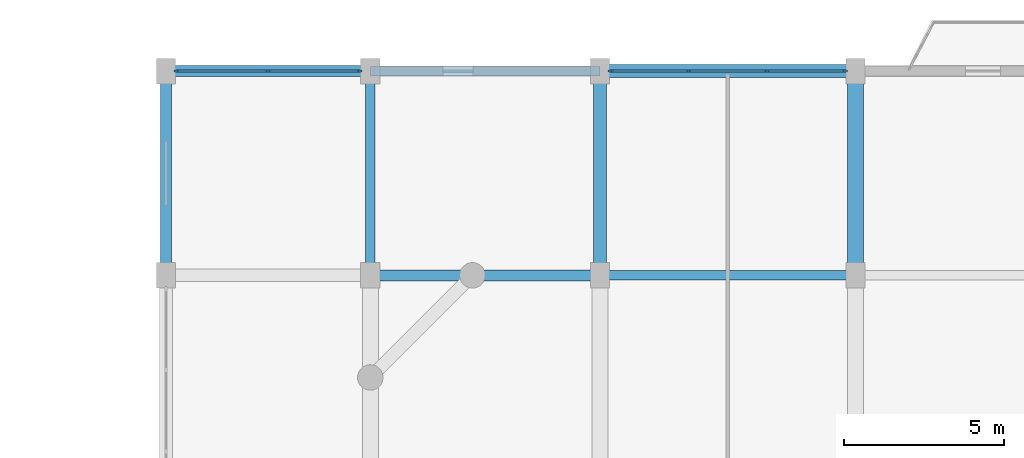
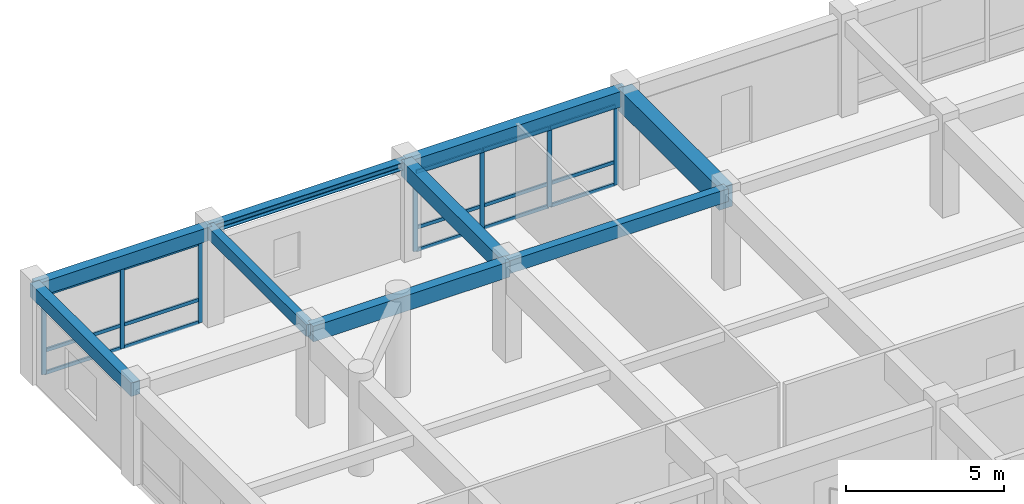
# One storey, part 9 of 20: 22 members, 9 beams, 2 elements without a shape of their own.
"""IFC4 building model written with IfcOpenShell, lengths in metres."""

from ifc_helpers import new_model, si_unit, direction, frame, origin, origin_2d, place, context, subcontext, project, spatial, rectangle, i_section, extrude, material, material_profile, profile_set, type_object, element, aggregate, save


model = new_model("IFC4")

# Units and contexts
model_context = context("Model", 3, precision=1e-05, world=origin(), true_north=direction((0.0, 1.0)))
body_context = subcontext(model_context, "Body", "Model", "MODEL_VIEW")
ifc_project = project(units=[si_unit("LENGTHUNIT", "METRE"), si_unit("AREAUNIT", "SQUARE_METRE"), si_unit("VOLUMEUNIT", "CUBIC_METRE"), si_unit("PLANEANGLEUNIT", "RADIAN"), si_unit("MASSUNIT", "GRAM", prefix="KILO")], contexts=[model_context])

# Site, building, storey
site_placement = place(None, origin())
site = spatial("IfcSite", under=ifc_project, at=site_placement, CompositionType="ELEMENT")
building_placement = place(site_placement, origin())
building = spatial("IfcBuilding", under=site, at=building_placement, Name="Vellmiral Cinema and Media Centre", CompositionType="ELEMENT")
storey_placement = place(building_placement, frame((0.0, 0.0, 23.800048828125)))
storey = spatial("IfcBuildingStorey", under=building, at=storey_placement, Name="L05", CompositionType="ELEMENT", Elevation=23.800048828125)

# Beams
ifc_material_1 = material(Name="Concrete C40/50", Category="concrete")
ifc_material_profile_1 = material_profile(ifc_material_1, rectangle(XDim=0.300048828125, YDim=0.449951171875, at=origin_2d()), Name="RC 300x450")
ifc_profile_set_1 = profile_set([ifc_material_profile_1], Name="Concrete C40/50")
beam_type_1 = type_object("IfcBeamType", Name="BM-RC-300x450", PredefinedType="BEAM", material=ifc_profile_set_1)
beam_1_placement = place(storey_placement, frame((116.800048828125, 108.800048828125, 3.469970703125), z_axis=(0.0, 1.0, 0.0), x_axis=(-1.0, 0.0, 0.0)))
element("IfcBeam", 1, at=beam_1_placement, inside=storey, type_object=beam_type_1, Name="Grid Beam L05-Y069", PredefinedType="BEAM", context=body_context, shape_type="SweptSolid", body=[
    extrude(rectangle(XDim=0.300048828125, YDim=0.449951171875, at=origin_2d()), origin(), (0.0, 0.0, 1.0), 6.39990234375),
])
ifc_material_2 = material(Name="Concrete C40/50", Category="concrete")
ifc_material_profile_2 = material_profile(ifc_material_2, rectangle(XDim=0.300048828125, YDim=0.5, at=origin_2d()), Name="RC 300x500")
ifc_profile_set_2 = profile_set([ifc_material_profile_2], Name="Concrete C40/50")
beam_type_2 = type_object("IfcBeamType", Name="BM-RC-300x500", PredefinedType="BEAM", material=ifc_profile_set_2)
beam_2_placement = place(storey_placement, frame((124.0, 108.800048828125, 3.445068359375), z_axis=(1.0, 0.0, 0.0), x_axis=(0.0, 1.0, 0.0)))
element("IfcBeam", 2, at=beam_2_placement, inside=storey, type_object=beam_type_2, Name="Grid Beam L05-X043", PredefinedType="BEAM", context=body_context, shape_type="SweptSolid", body=[
    extrude(rectangle(XDim=0.300048828125, YDim=0.5, at=origin_2d()), origin(), (0.0, 0.0, 1.0), 8.0),
])
ifc_material_3 = material(Name="Concrete C40/50", Category="concrete")
ifc_material_profile_3 = material_profile(ifc_material_3, rectangle(XDim=0.35009765625, YDim=0.60009765625, at=origin_2d()), Name="RC 350x600")
ifc_profile_set_3 = profile_set([ifc_material_profile_3], Name="Concrete C40/50")
beam_type_3 = type_object("IfcBeamType", Name="BM-RC-350x600", PredefinedType="BEAM", material=ifc_profile_set_3)
beam_3_placement = place(storey_placement, frame((116.800048828125, 108.800048828125, 3.39501953125), z_axis=(1.0, 0.0, 0.0), x_axis=(0.0, 1.0, 0.0)))
element("IfcBeam", 3, at=beam_3_placement, inside=storey, type_object=beam_type_3, Name="Grid Beam L05-X042", PredefinedType="BEAM", context=body_context, shape_type="SweptSolid", body=[
    extrude(rectangle(XDim=0.35009765625, YDim=0.60009765625, at=origin_2d()), origin(), (0.0, 0.0, 1.0), 7.199951171875),
])
ifc_material_4 = material(Name="Concrete C40/50", Category="concrete")
ifc_material_profile_4 = material_profile(ifc_material_4, rectangle(XDim=0.39990234375, YDim=0.60009765625, at=origin_2d()), Name="RC 400x600")
ifc_profile_set_4 = profile_set([ifc_material_profile_4], Name="Concrete C40/50")
beam_type_4 = type_object("IfcBeamType", Name="BM-RC-400x600", PredefinedType="BEAM", material=ifc_profile_set_4)
beam_4_placement = place(storey_placement, frame((124.0, 108.800048828125, 3.39501953125), z_axis=(0.0, 1.0, 0.0), x_axis=(-1.0, 0.0, 0.0)))
element("IfcBeam", 4, at=beam_4_placement, inside=storey, type_object=beam_type_4, Name="Grid Beam L05-Y075", PredefinedType="BEAM", context=body_context, shape_type="SweptSolid", body=[
    extrude(rectangle(XDim=0.39990234375, YDim=0.60009765625, at=origin_2d()), origin(), (0.0, 0.0, 1.0), 6.39990234375),
])
ifc_material_5 = material(Name="Concrete C40/50", Category="concrete")
ifc_material_profile_5 = material_profile(ifc_material_5, rectangle(XDim=0.5, YDim=0.85009765625, at=origin_2d()), Name="RC 500x850")
ifc_profile_set_5 = profile_set([ifc_material_profile_5], Name="Concrete C40/50")
beam_type_5 = type_object("IfcBeamType", Name="BM-RC-500x850", PredefinedType="BEAM", material=ifc_profile_set_5)
beam_5_placement = place(storey_placement, frame((132.0, 108.800048828125, 3.27001953125), z_axis=(0.0, 1.0, 0.0), x_axis=(-1.0, 0.0, 0.0)))
element("IfcBeam", 5, at=beam_5_placement, inside=storey, type_object=beam_type_5, Name="Grid Beam L05-Y081", PredefinedType="BEAM", context=body_context, shape_type="SweptSolid", body=[
    extrude(rectangle(XDim=0.5, YDim=0.85009765625, at=origin_2d()), origin(), (0.0, 0.0, 1.0), 6.39990234375),
])

# Curtain wall, members
ifc_material_6 = material(Name="Thermally Broken Aluminium and Triple Glazing", Category="aluminium")
curtain_wall_type = type_object("IfcCurtainWallType", Name="CW-TOWER-LOW-S", PredefinedType="USERDEFINED", material=ifc_material_6)
curtain_wall_1_placement = place(storey_placement, origin())
curtain_wall_1 = element("IfcCurtainWall", 6, at=curtain_wall_1_placement, inside=storey, type_object=curtain_wall_type, Name="Curtain Wall L05-B022", ObjectType="UNITISED CURTAIN WALL", PredefinedType="USERDEFINED")
ifc_material_7 = material(Name="Thermally Broken Anodised Aluminium", Category="aluminium")
ifc_material_profile_6 = material_profile(ifc_material_7, rectangle(XDim=0.06494140625, YDim=0.159912109375, at=origin_2d()), Name="MULL 65x160")
ifc_profile_set_6 = profile_set([ifc_material_profile_6], Name="Thermally Broken Anodised Aluminium")
member_type_1 = type_object("IfcMemberType", Name="CWM-65x160", PredefinedType="MULLION", material=ifc_profile_set_6)
member_1_placement = place(storey_placement, frame((131.66748046875, 115.199951171875, 0.0), z_axis=(0.0, 0.0, 1.0), x_axis=(0.0, -1.0, 0.0)))
member_1 = element("IfcMember", 7, at=member_1_placement, type_object=member_type_1, Name="CW-06 mullion 1", PredefinedType="MULLION", context=body_context, shape_type="SweptSolid", body=[
    extrude(rectangle(XDim=0.06494140625, YDim=0.159912109375, at=origin_2d()), origin(), (0.0, 0.0, 1.0), 3.0849609375),
])
member_2_placement = place(storey_placement, frame((129.2333984375, 115.199951171875, 0.0), z_axis=(0.0, 0.0, 1.0), x_axis=(0.0, -1.0, 0.0)))
member_2 = element("IfcMember", 8, at=member_2_placement, type_object=member_type_1, Name="CW-06 mullion 2", PredefinedType="MULLION", context=body_context, shape_type="SweptSolid", body=[
    extrude(rectangle(XDim=0.06494140625, YDim=0.159912109375, at=origin_2d()), origin(), (0.0, 0.0, 1.0), 3.0849609375),
])
member_3_placement = place(storey_placement, frame((126.7666015625, 115.199951171875, 0.0), z_axis=(0.0, 0.0, 1.0), x_axis=(0.0, -1.0, 0.0)))
member_3 = element("IfcMember", 9, at=member_3_placement, type_object=member_type_1, Name="CW-06 mullion 3", PredefinedType="MULLION", context=body_context, shape_type="SweptSolid", body=[
    extrude(rectangle(XDim=0.06494140625, YDim=0.159912109375, at=origin_2d()), origin(), (0.0, 0.0, 1.0), 3.0849609375),
])
member_4_placement = place(storey_placement, frame((124.33251953125, 115.199951171875, 0.0), z_axis=(0.0, 0.0, 1.0), x_axis=(0.0, -1.0, 0.0)))
member_4 = element("IfcMember", 10, at=member_4_placement, type_object=member_type_1, Name="CW-06 mullion 4", PredefinedType="MULLION", context=body_context, shape_type="SweptSolid", body=[
    extrude(rectangle(XDim=0.06494140625, YDim=0.159912109375, at=origin_2d()), origin(), (0.0, 0.0, 1.0), 3.0849609375),
])

curtain_wall_2_placement = place(storey_placement, origin())
curtain_wall_2 = element("IfcCurtainWall", 11, at=curtain_wall_2_placement, inside=storey, type_object=curtain_wall_type, Name="Curtain Wall L05-B024", ObjectType="UNITISED CURTAIN WALL", PredefinedType="USERDEFINED")
member_5_placement = place(storey_placement, frame((116.467529296875, 115.199951171875, 0.0), z_axis=(0.0, 0.0, 1.0), x_axis=(0.0, -1.0, 0.0)))
member_5 = element("IfcMember", 12, at=member_5_placement, type_object=member_type_1, Name="CW-06 mullion 1", PredefinedType="MULLION", context=body_context, shape_type="SweptSolid", body=[
    extrude(rectangle(XDim=0.06494140625, YDim=0.159912109375, at=origin_2d()), origin(), (0.0, 0.0, 1.0), 3.099853515625),
])
member_6_placement = place(storey_placement, frame((113.60009765625, 115.199951171875, 0.0), z_axis=(0.0, 0.0, 1.0), x_axis=(0.0, -1.0, 0.0)))
member_6 = element("IfcMember", 13, at=member_6_placement, type_object=member_type_1, Name="CW-06 mullion 2", PredefinedType="MULLION", context=body_context, shape_type="SweptSolid", body=[
    extrude(rectangle(XDim=0.06494140625, YDim=0.159912109375, at=origin_2d()), origin(), (0.0, 0.0, 1.0), 3.099853515625),
])
member_7_placement = place(storey_placement, frame((110.732421875, 115.199951171875, 0.0), z_axis=(0.0, 0.0, 1.0), x_axis=(0.0, -1.0, 0.0)))
member_7 = element("IfcMember", 14, at=member_7_placement, type_object=member_type_1, Name="CW-06 mullion 3", PredefinedType="MULLION", context=body_context, shape_type="SweptSolid", body=[
    extrude(rectangle(XDim=0.06494140625, YDim=0.159912109375, at=origin_2d()), origin(), (0.0, 0.0, 1.0), 3.099853515625),
])

# Member
ifc_material_8 = material(Name="Thermally Broken Anodised Aluminium", Category="aluminium")
ifc_material_profile_7 = material_profile(ifc_material_8, rectangle(XDim=0.06494140625, YDim=0.135009765625, at=origin_2d()), Name="MULL 65x135")
ifc_profile_set_7 = profile_set([ifc_material_profile_7], Name="Thermally Broken Anodised Aluminium")
member_type_2 = type_object("IfcMemberType", Name="CWT-65x135", PredefinedType="USERDEFINED", material=ifc_profile_set_7)
member_8_placement = place(storey_placement, frame((131.635009765625, 115.199951171875, 0.032470703125), z_axis=(-1.0, 0.0, 0.0), x_axis=(0.0, -1.0, 0.0)))
member_8 = element("IfcMember", 15, at=member_8_placement, type_object=member_type_2, Name="CW-06 transom 1.1", ObjectType="TRANSOM", PredefinedType="USERDEFINED", context=body_context, shape_type="SweptSolid", body=[
    extrude(rectangle(XDim=0.06494140625, YDim=0.135009765625, at=origin_2d()), origin(), (0.0, 0.0, 1.0), 2.369140625),
])

member_9_placement = place(storey_placement, frame((131.635009765625, 115.199951171875, 0.89990234375), z_axis=(-1.0, 0.0, 0.0), x_axis=(0.0, -1.0, 0.0)))
member_9 = element("IfcMember", 16, at=member_9_placement, type_object=member_type_2, Name="CW-06 transom 1.2", ObjectType="TRANSOM", PredefinedType="USERDEFINED", context=body_context, shape_type="SweptSolid", body=[
    extrude(rectangle(XDim=0.06494140625, YDim=0.135009765625, at=origin_2d()), origin(), (0.0, 0.0, 1.0), 2.369140625),
])

member_10_placement = place(storey_placement, frame((131.635009765625, 115.199951171875, 3.052490234375), z_axis=(-1.0, 0.0, 0.0), x_axis=(0.0, -1.0, 0.0)))
member_10 = element("IfcMember", 17, at=member_10_placement, type_object=member_type_2, Name="CW-06 transom 1.3", ObjectType="TRANSOM", PredefinedType="USERDEFINED", context=body_context, shape_type="SweptSolid", body=[
    extrude(rectangle(XDim=0.06494140625, YDim=0.135009765625, at=origin_2d()), origin(), (0.0, 0.0, 1.0), 2.369140625),
])

member_11_placement = place(storey_placement, frame((129.200927734375, 115.199951171875, 0.032470703125), z_axis=(-1.0, 0.0, 0.0), x_axis=(0.0, -1.0, 0.0)))
member_11 = element("IfcMember", 18, at=member_11_placement, type_object=member_type_2, Name="CW-06 transom 2.1", ObjectType="TRANSOM", PredefinedType="USERDEFINED", context=body_context, shape_type="SweptSolid", body=[
    extrude(rectangle(XDim=0.06494140625, YDim=0.135009765625, at=origin_2d()), origin(), (0.0, 0.0, 1.0), 2.40185546875),
])

member_12_placement = place(storey_placement, frame((129.200927734375, 115.199951171875, 0.89990234375), z_axis=(-1.0, 0.0, 0.0), x_axis=(0.0, -1.0, 0.0)))
member_12 = element("IfcMember", 19, at=member_12_placement, type_object=member_type_2, Name="CW-06 transom 2.2", ObjectType="TRANSOM", PredefinedType="USERDEFINED", context=body_context, shape_type="SweptSolid", body=[
    extrude(rectangle(XDim=0.06494140625, YDim=0.135009765625, at=origin_2d()), origin(), (0.0, 0.0, 1.0), 2.40185546875),
])

member_13_placement = place(storey_placement, frame((129.200927734375, 115.199951171875, 3.052490234375), z_axis=(-1.0, 0.0, 0.0), x_axis=(0.0, -1.0, 0.0)))
member_13 = element("IfcMember", 20, at=member_13_placement, type_object=member_type_2, Name="CW-06 transom 2.3", ObjectType="TRANSOM", PredefinedType="USERDEFINED", context=body_context, shape_type="SweptSolid", body=[
    extrude(rectangle(XDim=0.06494140625, YDim=0.135009765625, at=origin_2d()), origin(), (0.0, 0.0, 1.0), 2.40185546875),
])

member_14_placement = place(storey_placement, frame((126.734130859375, 115.199951171875, 0.032470703125), z_axis=(-1.0, 0.0, 0.0), x_axis=(0.0, -1.0, 0.0)))
member_14 = element("IfcMember", 21, at=member_14_placement, type_object=member_type_2, Name="CW-06 transom 3.1", ObjectType="TRANSOM", PredefinedType="USERDEFINED", context=body_context, shape_type="SweptSolid", body=[
    extrude(rectangle(XDim=0.06494140625, YDim=0.135009765625, at=origin_2d()), origin(), (0.0, 0.0, 1.0), 2.369140625),
])

member_15_placement = place(storey_placement, frame((126.734130859375, 115.199951171875, 0.89990234375), z_axis=(-1.0, 0.0, 0.0), x_axis=(0.0, -1.0, 0.0)))
member_15 = element("IfcMember", 22, at=member_15_placement, type_object=member_type_2, Name="CW-06 transom 3.2", ObjectType="TRANSOM", PredefinedType="USERDEFINED", context=body_context, shape_type="SweptSolid", body=[
    extrude(rectangle(XDim=0.06494140625, YDim=0.135009765625, at=origin_2d()), origin(), (0.0, 0.0, 1.0), 2.369140625),
])

member_16_placement = place(storey_placement, frame((126.734130859375, 115.199951171875, 3.052490234375), z_axis=(-1.0, 0.0, 0.0), x_axis=(0.0, -1.0, 0.0)))
member_16 = element("IfcMember", 23, at=member_16_placement, type_object=member_type_2, Name="CW-06 transom 3.3", ObjectType="TRANSOM", PredefinedType="USERDEFINED", context=body_context, shape_type="SweptSolid", body=[
    extrude(rectangle(XDim=0.06494140625, YDim=0.135009765625, at=origin_2d()), origin(), (0.0, 0.0, 1.0), 2.369140625),
])

aggregate(curtain_wall_1, [member_1, member_2, member_3, member_4, member_8, member_9, member_10, member_11, member_12, member_13, member_14, member_15, member_16])

member_17_placement = place(storey_placement, frame((116.43505859375, 115.199951171875, 0.032470703125), z_axis=(-1.0, 0.0, 0.0), x_axis=(0.0, -1.0, 0.0)))
member_17 = element("IfcMember", 24, at=member_17_placement, type_object=member_type_2, Name="CW-06 transom 1.1", ObjectType="TRANSOM", PredefinedType="USERDEFINED", context=body_context, shape_type="SweptSolid", body=[
    extrude(rectangle(XDim=0.06494140625, YDim=0.135009765625, at=origin_2d()), origin(), (0.0, 0.0, 1.0), 2.802490234375),
])

member_18_placement = place(storey_placement, frame((116.43505859375, 115.199951171875, 0.89990234375), z_axis=(-1.0, 0.0, 0.0), x_axis=(0.0, -1.0, 0.0)))
member_18 = element("IfcMember", 25, at=member_18_placement, type_object=member_type_2, Name="CW-06 transom 1.2", ObjectType="TRANSOM", PredefinedType="USERDEFINED", context=body_context, shape_type="SweptSolid", body=[
    extrude(rectangle(XDim=0.06494140625, YDim=0.135009765625, at=origin_2d()), origin(), (0.0, 0.0, 1.0), 2.802490234375),
])

member_19_placement = place(storey_placement, frame((116.43505859375, 115.199951171875, 3.0673828125), z_axis=(-1.0, 0.0, 0.0), x_axis=(0.0, -1.0, 0.0)))
member_19 = element("IfcMember", 26, at=member_19_placement, type_object=member_type_2, Name="CW-06 transom 1.3", ObjectType="TRANSOM", PredefinedType="USERDEFINED", context=body_context, shape_type="SweptSolid", body=[
    extrude(rectangle(XDim=0.06494140625, YDim=0.135009765625, at=origin_2d()), origin(), (0.0, 0.0, 1.0), 2.802490234375),
])

member_20_placement = place(storey_placement, frame((113.5673828125, 115.199951171875, 0.032470703125), z_axis=(-1.0, 0.0, 0.0), x_axis=(0.0, -1.0, 0.0)))
member_20 = element("IfcMember", 27, at=member_20_placement, type_object=member_type_2, Name="CW-06 transom 2.1", ObjectType="TRANSOM", PredefinedType="USERDEFINED", context=body_context, shape_type="SweptSolid", body=[
    extrude(rectangle(XDim=0.06494140625, YDim=0.135009765625, at=origin_2d()), origin(), (0.0, 0.0, 1.0), 2.802490234375),
])

member_21_placement = place(storey_placement, frame((113.5673828125, 115.199951171875, 0.89990234375), z_axis=(-1.0, 0.0, 0.0), x_axis=(0.0, -1.0, 0.0)))
member_21 = element("IfcMember", 28, at=member_21_placement, type_object=member_type_2, Name="CW-06 transom 2.2", ObjectType="TRANSOM", PredefinedType="USERDEFINED", context=body_context, shape_type="SweptSolid", body=[
    extrude(rectangle(XDim=0.06494140625, YDim=0.135009765625, at=origin_2d()), origin(), (0.0, 0.0, 1.0), 2.802490234375),
])

member_22_placement = place(storey_placement, frame((113.5673828125, 115.199951171875, 3.0673828125), z_axis=(-1.0, 0.0, 0.0), x_axis=(0.0, -1.0, 0.0)))
member_22 = element("IfcMember", 29, at=member_22_placement, type_object=member_type_2, Name="CW-06 transom 2.3", ObjectType="TRANSOM", PredefinedType="USERDEFINED", context=body_context, shape_type="SweptSolid", body=[
    extrude(rectangle(XDim=0.06494140625, YDim=0.135009765625, at=origin_2d()), origin(), (0.0, 0.0, 1.0), 2.802490234375),
])

aggregate(curtain_wall_2, [member_5, member_6, member_7, member_17, member_18, member_19, member_20, member_21, member_22])

# Beams
ifc_material_9 = material(Name="Steel S355", Category="steel")
ifc_material_profile_8 = material_profile(ifc_material_9, i_section(OverallWidth=0.300048828125, OverallDepth=0.300048828125, WebThickness=0.010986328125, FlangeThickness=0.01904296875, FilletRadius=0.027099609375, at=origin_2d()), Name="HEB 300")
ifc_profile_set_8 = profile_set([ifc_material_profile_8], Name="Steel S355")
beam_type_6 = type_object("IfcBeamType", Name="SBM-HEB300", PredefinedType="SPANDREL", material=ifc_profile_set_8)
beam_6_placement = place(storey_placement, frame((116.800048828125, 115.199951171875, 3.544921875), z_axis=(1.0, 0.0, 0.0), x_axis=(0.0, 1.0, 0.0)))
element("IfcBeam", 30, at=beam_6_placement, inside=storey, type_object=beam_type_6, Name="Grid Beam L05-X049", PredefinedType="SPANDREL", context=body_context, shape_type="SweptSolid", body=[
    extrude(i_section(OverallWidth=0.300048828125, OverallDepth=0.300048828125, WebThickness=0.010986328125, FlangeThickness=0.01904296875, FilletRadius=0.027099609375, at=origin_2d()), origin(), (0.0, 0.0, 1.0), 7.199951171875),
])
ifc_material_10 = material(Name="Concrete C40/50", Category="concrete")
ifc_material_profile_9 = material_profile(ifc_material_10, rectangle(XDim=0.39990234375, YDim=0.60009765625, at=origin_2d()), Name="RC 400x600")
ifc_profile_set_9 = profile_set([ifc_material_profile_9], Name="Concrete C40/50")
beam_type_7 = type_object("IfcBeamType", Name="SPD-RC-400x600", PredefinedType="SPANDREL", material=ifc_profile_set_9)
beam_7_placement = place(storey_placement, frame((124.0, 115.199951171875, 3.39501953125), z_axis=(1.0, 0.0, 0.0), x_axis=(0.0, 1.0, 0.0)))
element("IfcBeam", 31, at=beam_7_placement, inside=storey, type_object=beam_type_7, Name="Grid Beam L05-X050", PredefinedType="SPANDREL", context=body_context, shape_type="SweptSolid", body=[
    extrude(rectangle(XDim=0.39990234375, YDim=0.60009765625, at=origin_2d()), origin(), (0.0, 0.0, 1.0), 8.0),
])
ifc_material_11 = material(Name="Vosges Red Sandstone Masonry", Category="masonry")
ifc_material_profile_10 = material_profile(ifc_material_11, rectangle(XDim=0.340087890625, YDim=0.52001953125, at=origin_2d()), Name="SAND 340x520")
ifc_profile_set_10 = profile_set([ifc_material_profile_10], Name="Vosges Red Sandstone Masonry")
beam_type_8 = type_object("IfcBeamType", Name="SPD-SAND-340x520", PredefinedType="SPANDREL", material=ifc_profile_set_10)
beam_8_placement = place(storey_placement, frame((110.39990234375, 115.199951171875, 3.43505859375), z_axis=(1.0, 0.0, 0.0), x_axis=(0.0, 1.0, 0.0)))
element("IfcBeam", 32, at=beam_8_placement, inside=storey, type_object=beam_type_8, Name="Grid Beam L05-X048", PredefinedType="SPANDREL", context=body_context, shape_type="SweptSolid", body=[
    extrude(rectangle(XDim=0.340087890625, YDim=0.52001953125, at=origin_2d()), origin(), (0.0, 0.0, 1.0), 6.400146484375),
])
beam_9_placement = place(storey_placement, frame((110.39990234375, 108.800048828125, 3.43505859375), z_axis=(0.0, 1.0, 0.0), x_axis=(-1.0, 0.0, 0.0)))
element("IfcBeam", 33, at=beam_9_placement, inside=storey, type_object=beam_type_8, Name="Grid Beam L05-Y063", PredefinedType="SPANDREL", context=body_context, shape_type="SweptSolid", body=[
    extrude(rectangle(XDim=0.340087890625, YDim=0.52001953125, at=origin_2d()), origin(), (0.0, 0.0, 1.0), 6.39990234375),
])

save(model, "model.ifc")
